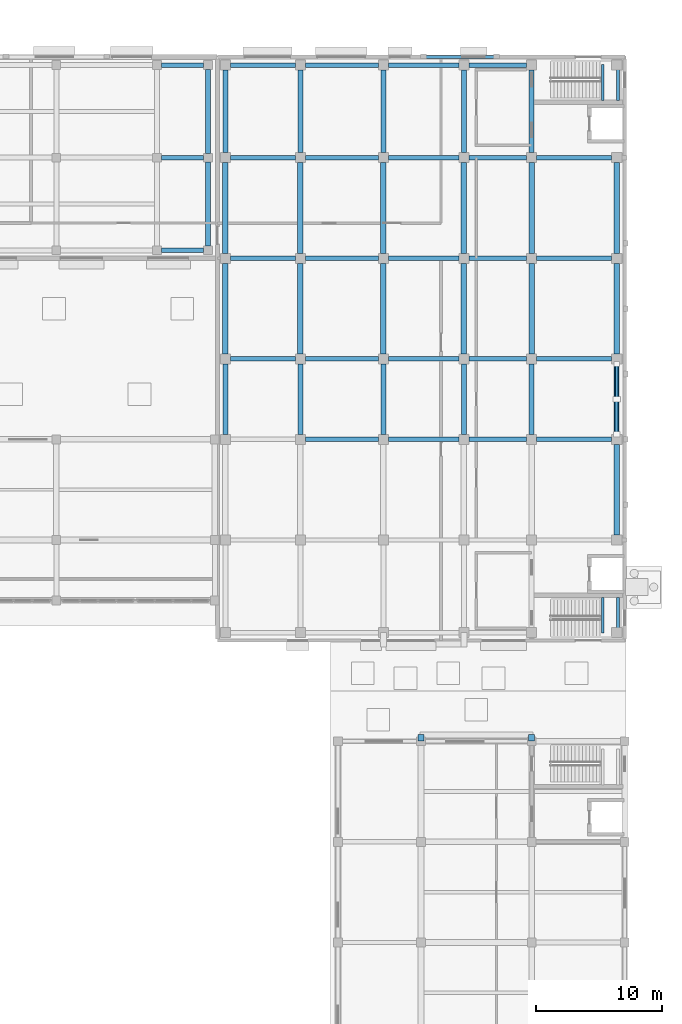
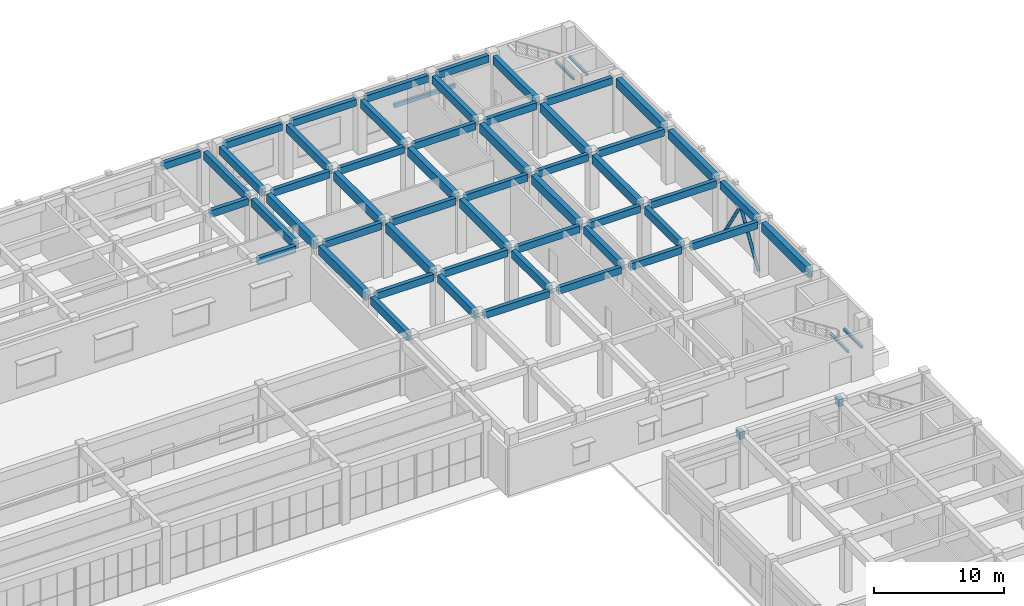
# One storey, part 21 of 46: 59 beams, 2 members.
"""IFC4 building model written with IfcOpenShell, lengths in metres."""

from ifc_helpers import new_model, si_unit, direction, frame, origin, origin_2d, place, context, subcontext, project, spatial, rectangle, hollow_circle, i_section, extrude, material, material_profile, profile_set, type_object, element, save


model = new_model("IFC4")

# Units and contexts
model_context = context("Model", 3, precision=1e-05, world=origin(), true_north=direction((0.0, 1.0)))
body_context = subcontext(model_context, "Body", "Model", "MODEL_VIEW")
ifc_project = project(units=[si_unit("LENGTHUNIT", "METRE"), si_unit("AREAUNIT", "SQUARE_METRE"), si_unit("VOLUMEUNIT", "CUBIC_METRE"), si_unit("PLANEANGLEUNIT", "RADIAN"), si_unit("MASSUNIT", "GRAM", prefix="KILO")], contexts=[model_context])

# Site, building, storey
site_placement = place(None, origin())
site = spatial("IfcSite", under=ifc_project, at=site_placement, CompositionType="ELEMENT")
building_placement = place(site_placement, origin())
building = spatial("IfcBuilding", under=site, at=building_placement, Name="Cinchona Park Media Centre", CompositionType="ELEMENT")
storey_placement = place(building_placement, origin())
storey = spatial("IfcBuildingStorey", under=building, at=storey_placement, Name="L00", CompositionType="ELEMENT", Elevation=0.0)

# Beams
ifc_material_1 = material(Name="Concrete C35/45", Category="concrete")
ifc_material_profile_1 = material_profile(ifc_material_1, rectangle(XDim=0.39990234375, YDim=0.75, at=origin_2d()), Name="RB 400X750")
ifc_profile_set_1 = profile_set([ifc_material_profile_1], Name="Concrete C35/45")
beam_type_1 = type_object("IfcBeamType", Name="BEAM-B01-RB400X750", PredefinedType="BEAM", material=ifc_profile_set_1)
for number, where, z_axis, x_axis, name in (
    (1, (138.860107421875, 102.989990234375, 4.7451171875), (0.0, 1.0, 0.0), (-1.0, 0.0, 0.0), "Girder B01 L00"),
    (2, (138.860107421875, 110.35009765625, 4.7451171875), (0.0, 1.0, 0.0), (-1.0, 0.0, 0.0), "Girder B01 L00"),
):
    element("IfcBeam", number, at=place(storey_placement, frame(where, z_axis=z_axis, x_axis=x_axis)), inside=storey, type_object=beam_type_1, Name=name, PredefinedType="BEAM", context=body_context, shape_type="SweptSolid", body=[
        extrude(rectangle(XDim=0.39990234375, YDim=0.75, at=origin_2d()), origin(), (0.0, 0.0, 1.0), 6.659912109375),
    ])
beam_1_placement = place(storey_placement, frame((140.239990234375, 88.0, 4.764892578125), z_axis=(0.0, 1.0, 0.0), x_axis=(-1.0, 0.0, 0.0)))
element("IfcBeam", 3, at=beam_1_placement, inside=storey, type_object=beam_type_1, Name="Girder B01 L00", PredefinedType="BEAM", context=body_context, shape_type="SweptSolid", body=[
    extrude(rectangle(XDim=0.39990234375, YDim=0.75, at=origin_2d()), origin(), (0.0, 0.0, 1.0), 5.60009765625),
])
beam_2_placement = place(storey_placement, frame((140.239990234375, 110.39990234375, 4.764892578125), z_axis=(0.0, 1.0, 0.0), x_axis=(-1.0, 0.0, 0.0)))
element("IfcBeam", 4, at=beam_2_placement, inside=storey, type_object=beam_type_1, Name="Girder B01 L00", PredefinedType="BEAM", context=body_context, shape_type="SweptSolid", body=[
    extrude(rectangle(XDim=0.39990234375, YDim=0.75, at=origin_2d()), origin(), (0.0, 0.0, 1.0), 6.56005859375),
])
beam_3_placement = place(storey_placement, frame((146.199951171875, 88.0, 4.764892578125), z_axis=(0.0, 1.0, 0.0), x_axis=(-1.0, 0.0, 0.0)))
element("IfcBeam", 5, at=beam_3_placement, inside=storey, type_object=beam_type_1, Name="Girder B01 L00", PredefinedType="BEAM", context=body_context, shape_type="SweptSolid", body=[
    extrude(rectangle(XDim=0.39990234375, YDim=0.75, at=origin_2d()), origin(), (0.0, 0.0, 1.0), 5.60009765625),
])
beam_4_placement = place(storey_placement, frame((146.199951171875, 110.39990234375, 4.764892578125), z_axis=(0.0, 1.0, 0.0), x_axis=(-1.0, 0.0, 0.0)))
element("IfcBeam", 6, at=beam_4_placement, inside=storey, type_object=beam_type_1, Name="Girder B01 L00", PredefinedType="BEAM", context=body_context, shape_type="SweptSolid", body=[
    extrude(rectangle(XDim=0.39990234375, YDim=0.75, at=origin_2d()), origin(), (0.0, 0.0, 1.0), 6.56005859375),
])
beam_5_placement = place(storey_placement, frame((152.800048828125, 88.0, 4.764892578125), z_axis=(0.0, 1.0, 0.0), x_axis=(-1.0, 0.0, 0.0)))
element("IfcBeam", 7, at=beam_5_placement, inside=storey, type_object=beam_type_1, Name="Girder B01 L00", PredefinedType="BEAM", context=body_context, shape_type="SweptSolid", body=[
    extrude(rectangle(XDim=0.39990234375, YDim=0.75, at=origin_2d()), origin(), (0.0, 0.0, 1.0), 5.60009765625),
])
beam_6_placement = place(storey_placement, frame((152.800048828125, 110.39990234375, 4.764892578125), z_axis=(0.0, 1.0, 0.0), x_axis=(-1.0, 0.0, 0.0)))
element("IfcBeam", 8, at=beam_6_placement, inside=storey, type_object=beam_type_1, Name="Girder B01 L00", PredefinedType="BEAM", context=body_context, shape_type="SweptSolid", body=[
    extrude(rectangle(XDim=0.39990234375, YDim=0.75, at=origin_2d()), origin(), (0.0, 0.0, 1.0), 6.56005859375),
])
beam_7_placement = place(storey_placement, frame((159.199951171875, 88.0, 4.764892578125), z_axis=(0.0, 1.0, 0.0), x_axis=(-1.0, 0.0, 0.0)))
element("IfcBeam", 9, at=beam_7_placement, inside=storey, type_object=beam_type_1, Name="Girder B01 L00", PredefinedType="BEAM", context=body_context, shape_type="SweptSolid", body=[
    extrude(rectangle(XDim=0.39990234375, YDim=0.75, at=origin_2d()), origin(), (0.0, 0.0, 1.0), 5.60009765625),
])
beam_8_placement = place(storey_placement, frame((159.199951171875, 110.39990234375, 4.764892578125), z_axis=(0.0, 1.0, 0.0), x_axis=(-1.0, 0.0, 0.0)))
element("IfcBeam", 10, at=beam_8_placement, inside=storey, type_object=beam_type_1, Name="Girder B01 L00", PredefinedType="BEAM", context=body_context, shape_type="SweptSolid", body=[
    extrude(rectangle(XDim=0.39990234375, YDim=0.75, at=origin_2d()), origin(), (0.0, 0.0, 1.0), 6.56005859375),
])
beam_9_placement = place(storey_placement, frame((164.60009765625, 88.0, 4.764892578125), z_axis=(0.0, 1.0, 0.0), x_axis=(-1.0, 0.0, 0.0)))
element("IfcBeam", 11, at=beam_9_placement, inside=storey, type_object=beam_type_1, Name="Girder B01 L00", PredefinedType="BEAM", context=body_context, shape_type="SweptSolid", body=[
    extrude(rectangle(XDim=0.39990234375, YDim=0.75, at=origin_2d()), origin(), (0.0, 0.0, 1.0), 5.60009765625),
])
beam_10_placement = place(storey_placement, frame((164.60009765625, 110.39990234375, 4.764892578125), z_axis=(0.0, 1.0, 0.0), x_axis=(-1.0, 0.0, 0.0)))
element("IfcBeam", 12, at=beam_10_placement, inside=storey, type_object=beam_type_1, Name="Girder B01 L00", PredefinedType="BEAM", context=body_context, shape_type="SweptSolid", body=[
    extrude(rectangle(XDim=0.39990234375, YDim=0.75, at=origin_2d()), origin(), (0.0, 0.0, 1.0), 6.56005859375),
])
beam_11_placement = place(storey_placement, frame((171.360107421875, 88.0, 4.764892578125), z_axis=(0.0, 1.0, 0.0), x_axis=(-1.0, 0.0, 0.0)))
element("IfcBeam", 13, at=beam_11_placement, inside=storey, type_object=beam_type_1, Name="Girder B01 L00", PredefinedType="BEAM", context=body_context, shape_type="SweptSolid", body=[
    extrude(rectangle(XDim=0.39990234375, YDim=0.75, at=origin_2d()), origin(), (0.0, 0.0, 1.0), 5.60009765625),
])
ifc_material_2 = material(Name="Concrete C35/45", Category="concrete")
ifc_material_profile_2 = material_profile(ifc_material_2, rectangle(XDim=0.449951171875, YDim=0.85009765625, at=origin_2d()), Name="RB 450X850")
ifc_profile_set_2 = profile_set([ifc_material_profile_2], Name="Concrete C35/45")
beam_type_2 = type_object("IfcBeamType", Name="BEAM-B02-RB450X850", PredefinedType="BEAM", material=ifc_profile_set_2)
for number, where, z_axis, x_axis, name in (
    (14, (140.239990234375, 94.39990234375, 4.715087890625), (0.0, 1.0, 0.0), (-1.0, 0.0, 0.0), "Girder B02 L00"),
    (15, (140.239990234375, 102.39990234375, 4.715087890625), (0.0, 1.0, 0.0), (-1.0, 0.0, 0.0), "Girder B02 L00"),
    (16, (146.199951171875, 94.39990234375, 4.715087890625), (0.0, 1.0, 0.0), (-1.0, 0.0, 0.0), "Girder B02 L00"),
    (17, (146.199951171875, 102.39990234375, 4.715087890625), (0.0, 1.0, 0.0), (-1.0, 0.0, 0.0), "Girder B02 L00"),
    (18, (152.800048828125, 94.39990234375, 4.715087890625), (0.0, 1.0, 0.0), (-1.0, 0.0, 0.0), "Girder B02 L00"),
    (19, (152.800048828125, 102.39990234375, 4.715087890625), (0.0, 1.0, 0.0), (-1.0, 0.0, 0.0), "Girder B02 L00"),
    (20, (159.199951171875, 94.39990234375, 4.715087890625), (0.0, 1.0, 0.0), (-1.0, 0.0, 0.0), "Girder B02 L00"),
    (21, (159.199951171875, 102.39990234375, 4.715087890625), (0.0, 1.0, 0.0), (-1.0, 0.0, 0.0), "Girder B02 L00"),
    (22, (164.60009765625, 94.39990234375, 4.715087890625), (0.0, 1.0, 0.0), (-1.0, 0.0, 0.0), "Girder B02 L00"),
    (23, (164.60009765625, 102.39990234375, 4.715087890625), (0.0, 1.0, 0.0), (-1.0, 0.0, 0.0), "Girder B02 L00"),
):
    element("IfcBeam", number, at=place(storey_placement, frame(where, z_axis=z_axis, x_axis=x_axis)), inside=storey, type_object=beam_type_2, Name=name, PredefinedType="BEAM", context=body_context, shape_type="SweptSolid", body=[
        extrude(rectangle(XDim=0.449951171875, YDim=0.85009765625, at=origin_2d()), origin(), (0.0, 0.0, 1.0), 7.2001953125),
    ])
beam_12_placement = place(storey_placement, frame((171.360107421875, 80.0, 4.715087890625), z_axis=(0.0, 1.0, 0.0), x_axis=(-1.0, 0.0, 0.0)))
element("IfcBeam", 24, at=beam_12_placement, inside=storey, type_object=beam_type_2, Name="Girder B02 L00", PredefinedType="BEAM", context=body_context, shape_type="SweptSolid", body=[
    extrude(rectangle(XDim=0.449951171875, YDim=0.85009765625, at=origin_2d()), origin(), (0.0, 0.0, 1.0), 7.199951171875),
])
for number, where, z_axis, x_axis, name in (
    (25, (171.360107421875, 94.39990234375, 4.715087890625), (0.0, 1.0, 0.0), (-1.0, 0.0, 0.0), "Girder B02 L00"),
    (26, (171.360107421875, 102.39990234375, 4.715087890625), (0.0, 1.0, 0.0), (-1.0, 0.0, 0.0), "Girder B02 L00"),
):
    element("IfcBeam", number, at=place(storey_placement, frame(where, z_axis=z_axis, x_axis=x_axis)), inside=storey, type_object=beam_type_2, Name=name, PredefinedType="BEAM", context=body_context, shape_type="SweptSolid", body=[
        extrude(rectangle(XDim=0.449951171875, YDim=0.85009765625, at=origin_2d()), origin(), (0.0, 0.0, 1.0), 7.2001953125),
    ])
ifc_material_3 = material(Name="Concrete C35/45", Category="concrete")
ifc_material_profile_3 = material_profile(ifc_material_3, rectangle(XDim=0.35009765625, YDim=0.64990234375, at=origin_2d()), Name="RB 350X650")
ifc_profile_set_3 = profile_set([ifc_material_profile_3], Name="Concrete C35/45")
beam_type_3 = type_object("IfcBeamType", Name="BEAM-B04-RB350X650", PredefinedType="BEAM", material=ifc_profile_set_3)
for number, where, z_axis, x_axis, name in (
    (27, (135.14990234375, 102.639892578125, 4.794921875), (1.0, 0.0, 0.0), (0.0, 1.0, 0.0), "Beam B04 L00"),
    (28, (135.14990234375, 110.0, 4.794921875), (1.0, 0.0, 0.0), (0.0, 1.0, 0.0), "Beam B04 L00"),
    (29, (135.14990234375, 117.360107421875, 4.794921875), (1.0, 0.0, 0.0), (0.0, 1.0, 0.0), "Beam B04 L00"),
):
    element("IfcBeam", number, at=place(storey_placement, frame(where, z_axis=z_axis, x_axis=x_axis)), inside=storey, type_object=beam_type_3, Name=name, PredefinedType="BEAM", context=body_context, shape_type="SweptSolid", body=[
        extrude(rectangle(XDim=0.35009765625, YDim=0.64990234375, at=origin_2d()), origin(), (0.0, 0.0, 1.0), 3.360107421875),
    ])
beam_13_placement = place(storey_placement, frame((146.60009765625, 87.60009765625, 4.81494140625), z_axis=(1.0, 0.0, 0.0), x_axis=(0.0, 1.0, 0.0)))
element("IfcBeam", 30, at=beam_13_placement, inside=storey, type_object=beam_type_3, Name="Beam B04 L00", PredefinedType="BEAM", context=body_context, shape_type="SweptSolid", body=[
    extrude(rectangle(XDim=0.35009765625, YDim=0.64990234375, at=origin_2d()), origin(), (0.0, 0.0, 1.0), 5.7998046875),
])
beam_14_placement = place(storey_placement, frame((153.199951171875, 87.60009765625, 4.81494140625), z_axis=(1.0, 0.0, 0.0), x_axis=(0.0, 1.0, 0.0)))
element("IfcBeam", 31, at=beam_14_placement, inside=storey, type_object=beam_type_3, Name="Beam B04 L00", PredefinedType="BEAM", context=body_context, shape_type="SweptSolid", body=[
    extrude(rectangle(XDim=0.35009765625, YDim=0.64990234375, at=origin_2d()), origin(), (0.0, 0.0, 1.0), 5.60009765625),
])
beam_15_placement = place(storey_placement, frame((159.60009765625, 87.60009765625, 4.81494140625), z_axis=(1.0, 0.0, 0.0), x_axis=(0.0, 1.0, 0.0)))
element("IfcBeam", 32, at=beam_15_placement, inside=storey, type_object=beam_type_3, Name="Beam B04 L00", PredefinedType="BEAM", context=body_context, shape_type="SweptSolid", body=[
    extrude(rectangle(XDim=0.35009765625, YDim=0.64990234375, at=origin_2d()), origin(), (0.0, 0.0, 1.0), 4.599853515625),
])
beam_16_placement = place(storey_placement, frame((165.0, 87.60009765625, 4.81494140625), z_axis=(1.0, 0.0, 0.0), x_axis=(0.0, 1.0, 0.0)))
element("IfcBeam", 33, at=beam_16_placement, inside=storey, type_object=beam_type_3, Name="Beam B04 L00", PredefinedType="BEAM", context=body_context, shape_type="SweptSolid", body=[
    extrude(rectangle(XDim=0.35009765625, YDim=0.64990234375, at=origin_2d()), origin(), (0.0, 0.0, 1.0), 5.9599609375),
])
beam_17_placement = place(storey_placement, frame((140.639892578125, 94.0, 4.81494140625), z_axis=(1.0, 0.0, 0.0), x_axis=(0.0, 1.0, 0.0)))
element("IfcBeam", 34, at=beam_17_placement, inside=storey, type_object=beam_type_3, Name="Beam B04 L00", PredefinedType="BEAM", context=body_context, shape_type="SweptSolid", body=[
    extrude(rectangle(XDim=0.35009765625, YDim=0.64990234375, at=origin_2d()), origin(), (0.0, 0.0, 1.0), 5.16015625),
])
beam_18_placement = place(storey_placement, frame((146.60009765625, 94.0, 4.81494140625), z_axis=(1.0, 0.0, 0.0), x_axis=(0.0, 1.0, 0.0)))
element("IfcBeam", 35, at=beam_18_placement, inside=storey, type_object=beam_type_3, Name="Beam B04 L00", PredefinedType="BEAM", context=body_context, shape_type="SweptSolid", body=[
    extrude(rectangle(XDim=0.35009765625, YDim=0.64990234375, at=origin_2d()), origin(), (0.0, 0.0, 1.0), 5.7998046875),
])
beam_19_placement = place(storey_placement, frame((153.199951171875, 94.0, 4.81494140625), z_axis=(1.0, 0.0, 0.0), x_axis=(0.0, 1.0, 0.0)))
element("IfcBeam", 36, at=beam_19_placement, inside=storey, type_object=beam_type_3, Name="Beam B04 L00", PredefinedType="BEAM", context=body_context, shape_type="SweptSolid", body=[
    extrude(rectangle(XDim=0.35009765625, YDim=0.64990234375, at=origin_2d()), origin(), (0.0, 0.0, 1.0), 5.60009765625),
])
beam_20_placement = place(storey_placement, frame((159.60009765625, 94.0, 4.81494140625), z_axis=(1.0, 0.0, 0.0), x_axis=(0.0, 1.0, 0.0)))
element("IfcBeam", 37, at=beam_20_placement, inside=storey, type_object=beam_type_3, Name="Beam B04 L00", PredefinedType="BEAM", context=body_context, shape_type="SweptSolid", body=[
    extrude(rectangle(XDim=0.35009765625, YDim=0.64990234375, at=origin_2d()), origin(), (0.0, 0.0, 1.0), 4.599853515625),
])
beam_21_placement = place(storey_placement, frame((165.0, 94.0, 4.81494140625), z_axis=(1.0, 0.0, 0.0), x_axis=(0.0, 1.0, 0.0)))
element("IfcBeam", 38, at=beam_21_placement, inside=storey, type_object=beam_type_3, Name="Beam B04 L00", PredefinedType="BEAM", context=body_context, shape_type="SweptSolid", body=[
    extrude(rectangle(XDim=0.35009765625, YDim=0.64990234375, at=origin_2d()), origin(), (0.0, 0.0, 1.0), 5.9599609375),
])
beam_22_placement = place(storey_placement, frame((140.639892578125, 102.0, 4.81494140625), z_axis=(1.0, 0.0, 0.0), x_axis=(0.0, 1.0, 0.0)))
element("IfcBeam", 39, at=beam_22_placement, inside=storey, type_object=beam_type_3, Name="Beam B04 L00", PredefinedType="BEAM", context=body_context, shape_type="SweptSolid", body=[
    extrude(rectangle(XDim=0.35009765625, YDim=0.64990234375, at=origin_2d()), origin(), (0.0, 0.0, 1.0), 5.16015625),
])
beam_23_placement = place(storey_placement, frame((146.60009765625, 102.0, 4.81494140625), z_axis=(1.0, 0.0, 0.0), x_axis=(0.0, 1.0, 0.0)))
element("IfcBeam", 40, at=beam_23_placement, inside=storey, type_object=beam_type_3, Name="Beam B04 L00", PredefinedType="BEAM", context=body_context, shape_type="SweptSolid", body=[
    extrude(rectangle(XDim=0.35009765625, YDim=0.64990234375, at=origin_2d()), origin(), (0.0, 0.0, 1.0), 5.7998046875),
])
beam_24_placement = place(storey_placement, frame((153.199951171875, 102.0, 4.81494140625), z_axis=(1.0, 0.0, 0.0), x_axis=(0.0, 1.0, 0.0)))
element("IfcBeam", 41, at=beam_24_placement, inside=storey, type_object=beam_type_3, Name="Beam B04 L00", PredefinedType="BEAM", context=body_context, shape_type="SweptSolid", body=[
    extrude(rectangle(XDim=0.35009765625, YDim=0.64990234375, at=origin_2d()), origin(), (0.0, 0.0, 1.0), 5.60009765625),
])
beam_25_placement = place(storey_placement, frame((159.60009765625, 102.0, 4.81494140625), z_axis=(1.0, 0.0, 0.0), x_axis=(0.0, 1.0, 0.0)))
element("IfcBeam", 42, at=beam_25_placement, inside=storey, type_object=beam_type_3, Name="Beam B04 L00", PredefinedType="BEAM", context=body_context, shape_type="SweptSolid", body=[
    extrude(rectangle(XDim=0.35009765625, YDim=0.64990234375, at=origin_2d()), origin(), (0.0, 0.0, 1.0), 4.599853515625),
])
beam_26_placement = place(storey_placement, frame((165.0, 102.0, 4.81494140625), z_axis=(1.0, 0.0, 0.0), x_axis=(0.0, 1.0, 0.0)))
element("IfcBeam", 43, at=beam_26_placement, inside=storey, type_object=beam_type_3, Name="Beam B04 L00", PredefinedType="BEAM", context=body_context, shape_type="SweptSolid", body=[
    extrude(rectangle(XDim=0.35009765625, YDim=0.64990234375, at=origin_2d()), origin(), (0.0, 0.0, 1.0), 5.9599609375),
])
beam_27_placement = place(storey_placement, frame((140.639892578125, 110.0, 4.81494140625), z_axis=(1.0, 0.0, 0.0), x_axis=(0.0, 1.0, 0.0)))
element("IfcBeam", 44, at=beam_27_placement, inside=storey, type_object=beam_type_3, Name="Beam B04 L00", PredefinedType="BEAM", context=body_context, shape_type="SweptSolid", body=[
    extrude(rectangle(XDim=0.35009765625, YDim=0.64990234375, at=origin_2d()), origin(), (0.0, 0.0, 1.0), 5.16015625),
])
beam_28_placement = place(storey_placement, frame((146.60009765625, 110.0, 4.81494140625), z_axis=(1.0, 0.0, 0.0), x_axis=(0.0, 1.0, 0.0)))
element("IfcBeam", 45, at=beam_28_placement, inside=storey, type_object=beam_type_3, Name="Beam B04 L00", PredefinedType="BEAM", context=body_context, shape_type="SweptSolid", body=[
    extrude(rectangle(XDim=0.35009765625, YDim=0.64990234375, at=origin_2d()), origin(), (0.0, 0.0, 1.0), 5.7998046875),
])
beam_29_placement = place(storey_placement, frame((153.199951171875, 110.0, 4.81494140625), z_axis=(1.0, 0.0, 0.0), x_axis=(0.0, 1.0, 0.0)))
element("IfcBeam", 46, at=beam_29_placement, inside=storey, type_object=beam_type_3, Name="Beam B04 L00", PredefinedType="BEAM", context=body_context, shape_type="SweptSolid", body=[
    extrude(rectangle(XDim=0.35009765625, YDim=0.64990234375, at=origin_2d()), origin(), (0.0, 0.0, 1.0), 5.60009765625),
])
beam_30_placement = place(storey_placement, frame((159.60009765625, 110.0, 4.81494140625), z_axis=(1.0, 0.0, 0.0), x_axis=(0.0, 1.0, 0.0)))
element("IfcBeam", 47, at=beam_30_placement, inside=storey, type_object=beam_type_3, Name="Beam B04 L00", PredefinedType="BEAM", context=body_context, shape_type="SweptSolid", body=[
    extrude(rectangle(XDim=0.35009765625, YDim=0.64990234375, at=origin_2d()), origin(), (0.0, 0.0, 1.0), 4.599853515625),
])
beam_31_placement = place(storey_placement, frame((165.0, 110.0, 4.81494140625), z_axis=(1.0, 0.0, 0.0), x_axis=(0.0, 1.0, 0.0)))
element("IfcBeam", 48, at=beam_31_placement, inside=storey, type_object=beam_type_3, Name="Beam B04 L00", PredefinedType="BEAM", context=body_context, shape_type="SweptSolid", body=[
    extrude(rectangle(XDim=0.35009765625, YDim=0.64990234375, at=origin_2d()), origin(), (0.0, 0.0, 1.0), 5.9599609375),
])
beam_32_placement = place(storey_placement, frame((140.639892578125, 117.360107421875, 4.81494140625), z_axis=(1.0, 0.0, 0.0), x_axis=(0.0, 1.0, 0.0)))
element("IfcBeam", 49, at=beam_32_placement, inside=storey, type_object=beam_type_3, Name="Beam B04 L00", PredefinedType="BEAM", context=body_context, shape_type="SweptSolid", body=[
    extrude(rectangle(XDim=0.35009765625, YDim=0.64990234375, at=origin_2d()), origin(), (0.0, 0.0, 1.0), 5.16015625),
])
beam_33_placement = place(storey_placement, frame((146.60009765625, 117.360107421875, 4.81494140625), z_axis=(1.0, 0.0, 0.0), x_axis=(0.0, 1.0, 0.0)))
element("IfcBeam", 50, at=beam_33_placement, inside=storey, type_object=beam_type_3, Name="Beam B04 L00", PredefinedType="BEAM", context=body_context, shape_type="SweptSolid", body=[
    extrude(rectangle(XDim=0.35009765625, YDim=0.64990234375, at=origin_2d()), origin(), (0.0, 0.0, 1.0), 5.7998046875),
])
beam_34_placement = place(storey_placement, frame((153.199951171875, 117.360107421875, 4.81494140625), z_axis=(1.0, 0.0, 0.0), x_axis=(0.0, 1.0, 0.0)))
element("IfcBeam", 51, at=beam_34_placement, inside=storey, type_object=beam_type_3, Name="Beam B04 L00", PredefinedType="BEAM", context=body_context, shape_type="SweptSolid", body=[
    extrude(rectangle(XDim=0.35009765625, YDim=0.64990234375, at=origin_2d()), origin(), (0.0, 0.0, 1.0), 5.60009765625),
])
beam_35_placement = place(storey_placement, frame((159.60009765625, 117.360107421875, 4.81494140625), z_axis=(1.0, 0.0, 0.0), x_axis=(0.0, 1.0, 0.0)))
element("IfcBeam", 52, at=beam_35_placement, inside=storey, type_object=beam_type_3, Name="Beam B04 L00", PredefinedType="BEAM", context=body_context, shape_type="SweptSolid", body=[
    extrude(rectangle(XDim=0.35009765625, YDim=0.64990234375, at=origin_2d()), origin(), (0.0, 0.0, 1.0), 4.599853515625),
])
ifc_material_4 = material(Name="Concrete C40/50", Category="concrete")
ifc_material_profile_4 = material_profile(ifc_material_4, rectangle(XDim=0.47998046875, YDim=0.64990234375, at=origin_2d()), Name="RB 480X650")
ifc_profile_set_4 = profile_set([ifc_material_profile_4], Name="Concrete C40/50")
beam_type_4 = type_object("IfcBeamType", Name="BEAM-B07-RB480X650", PredefinedType="BEAM", material=ifc_profile_set_4)
for number, where, z_axis, x_axis, name in (
    (53, (155.800048828125, 63.60009765625, 4.77490234375), (0.0, 1.0, 0.0), (-1.0, 0.0, 0.0), "Skybridge Support Corbel Beam B07 V6 L00"),
    (54, (164.60009765625, 63.60009765625, 4.77490234375), (0.0, 1.0, 0.0), (-1.0, 0.0, 0.0), "Skybridge Support Corbel Beam B07 V6 L00"),
):
    element("IfcBeam", number, at=place(storey_placement, frame(where, z_axis=z_axis, x_axis=x_axis)), inside=storey, type_object=beam_type_4, Name=name, PredefinedType="BEAM", context=body_context, shape_type="SweptSolid", body=[
        extrude(rectangle(XDim=0.47998046875, YDim=0.64990234375, at=origin_2d()), origin(), (0.0, 0.0, 1.0), 0.52001953125),
    ])
ifc_material_5 = material(Name="Steel S355", Category="steel")
ifc_material_profile_5 = material_profile(ifc_material_5, i_section(OverallWidth=0.202880859375, OverallDepth=0.202880859375, WebThickness=0.007080078125, FlangeThickness=0.010986328125, at=origin_2d()), Name="W200X46")
ifc_profile_set_5 = profile_set([ifc_material_profile_5], Name="Steel S355")
beam_type_5 = type_object("IfcBeamType", Name="BEAM-B10-W200X46", PredefinedType="BEAM", material=ifc_profile_set_5)
for number, where, z_axis, x_axis, name in (
    (55, (170.239990234375, 75.044921875, 2.3935546875), (0.0, -1.0, 0.0), (1.0, 0.0, 0.0), "Stair Landing Bearer Beam B10 ST1 L00"),
    (56, (171.4599609375, 75.044921875, 2.3935546875), (0.0, -1.0, 0.0), (1.0, 0.0, 0.0), "Stair Landing Bearer Beam B10 ST1 L00"),
    (57, (170.239990234375, 114.554931640625, 2.3935546875), (0.0, 1.0, 0.0), (-1.0, 0.0, 0.0), "Stair Landing Bearer Beam B10 ST2 L00"),
    (58, (171.4599609375, 114.554931640625, 2.3935546875), (0.0, 1.0, 0.0), (-1.0, 0.0, 0.0), "Stair Landing Bearer Beam B10 ST2 L00"),
):
    element("IfcBeam", number, at=place(storey_placement, frame(where, z_axis=z_axis, x_axis=x_axis)), inside=storey, type_object=beam_type_5, Name=name, PredefinedType="BEAM", context=body_context, shape_type="SweptSolid", body=[
        extrude(i_section(OverallWidth=0.202880859375, OverallDepth=0.202880859375, WebThickness=0.007080078125, FlangeThickness=0.010986328125, at=origin_2d()), origin(), (0.0, 0.0, 1.0), 2.844970703125),
    ])
ifc_material_6 = material(Name="Concrete C35/45", Category="concrete")
ifc_material_profile_6 = material_profile(ifc_material_6, rectangle(XDim=0.25, YDim=0.35009765625, at=origin_2d()), Name="RL 250X350")
ifc_profile_set_6 = profile_set([ifc_material_profile_6], Name="Concrete C35/45")
beam_type_6 = type_object("IfcBeamType", Name="BEAM-LN01-RL250X350", PredefinedType="LINTEL", material=ifc_profile_set_6)
beam_36_placement = place(storey_placement, frame((156.205078125, 118.0, 2.72509765625), z_axis=(1.0, 0.0, 0.0), x_axis=(0.0, 1.0, 0.0)))
element("IfcBeam", 59, at=beam_36_placement, inside=storey, type_object=beam_type_6, Name="Window Lintel LN01", PredefinedType="LINTEL", context=body_context, shape_type="SweptSolid", body=[
    extrude(rectangle(XDim=0.25, YDim=0.35009765625, at=origin_2d()), origin(), (0.0, 0.0, 1.0), 5.389892578125),
])

# Members
ifc_material_7 = material(Name="Steel S355", Category="steel")
ifc_material_profile_7 = material_profile(ifc_material_7, hollow_circle(Radius=0.136474609375, WallThickness=0.01611328125, at=origin_2d()), Name="273X16CHS")
ifc_profile_set_7 = profile_set([ifc_material_profile_7], Name="Steel S355")
member_type = type_object("IfcMemberType", Name="MEMBER-BR01-CHS273X16", PredefinedType="BRACE", material=ifc_profile_set_7)
member_1_placement = place(storey_placement, frame((171.360107421875, 88.0048828125, 0.0048828125), z_axis=(0.0, 0.53318500411, 0.845998671034), x_axis=(-1.0, 0.0, 0.0)))
element("IfcMember", 60, at=member_1_placement, inside=storey, type_object=member_type, Name="Vertical Chevron Brace BR01 L00", PredefinedType="BRACE", context=body_context, shape_type="SweptSolid", body=[
    extrude(hollow_circle(Radius=0.136474609375, WallThickness=0.01611328125, at=origin_2d()), origin(), (0.0, 0.0, 1.0), 5.242431640625),
])
member_2_placement = place(storey_placement, frame((171.360107421875, 93.594970703125, 0.0048828125), z_axis=(0.0, -0.533151671762, 0.846019677606), x_axis=(1.0, 0.0, 0.0)))
element("IfcMember", 61, at=member_2_placement, inside=storey, type_object=member_type, Name="Vertical Chevron Brace BR01 L00", PredefinedType="BRACE", context=body_context, shape_type="SweptSolid", body=[
    extrude(hollow_circle(Radius=0.136474609375, WallThickness=0.01611328125, at=origin_2d()), origin(), (0.0, 0.0, 1.0), 5.2421875),
])

save(model, "model.ifc")
